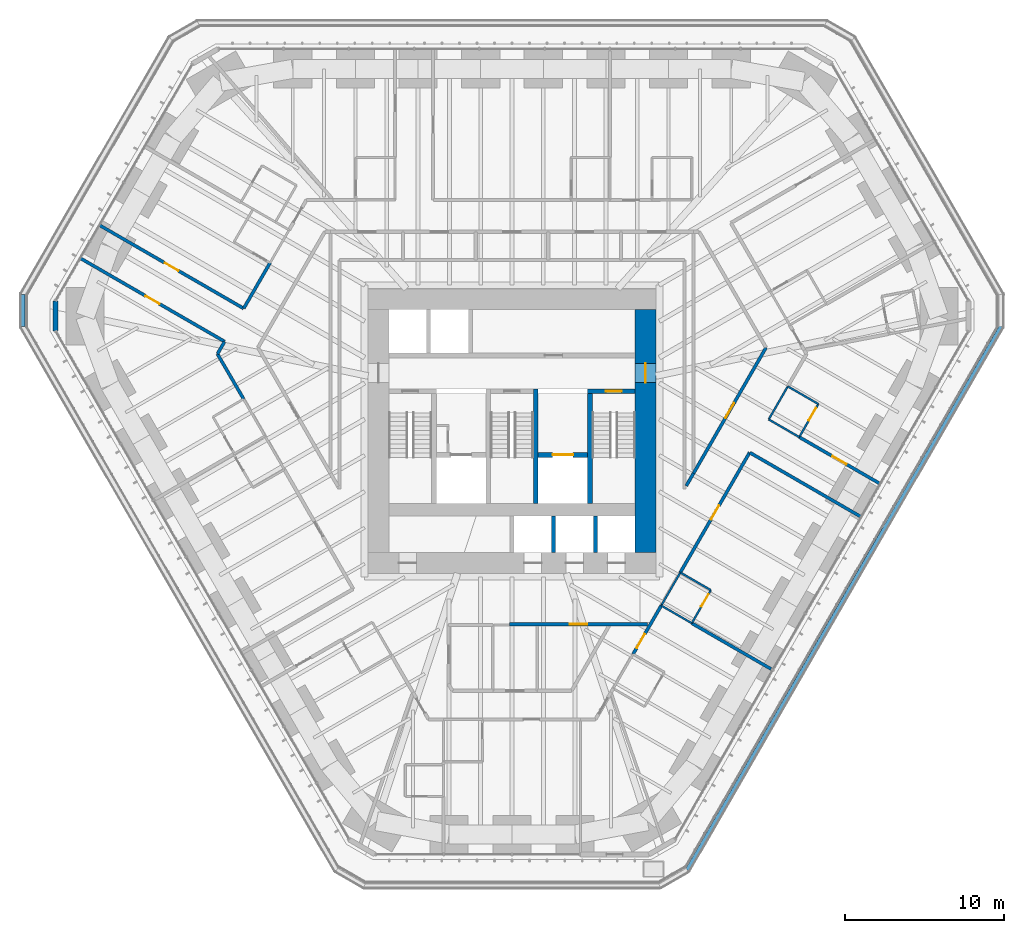
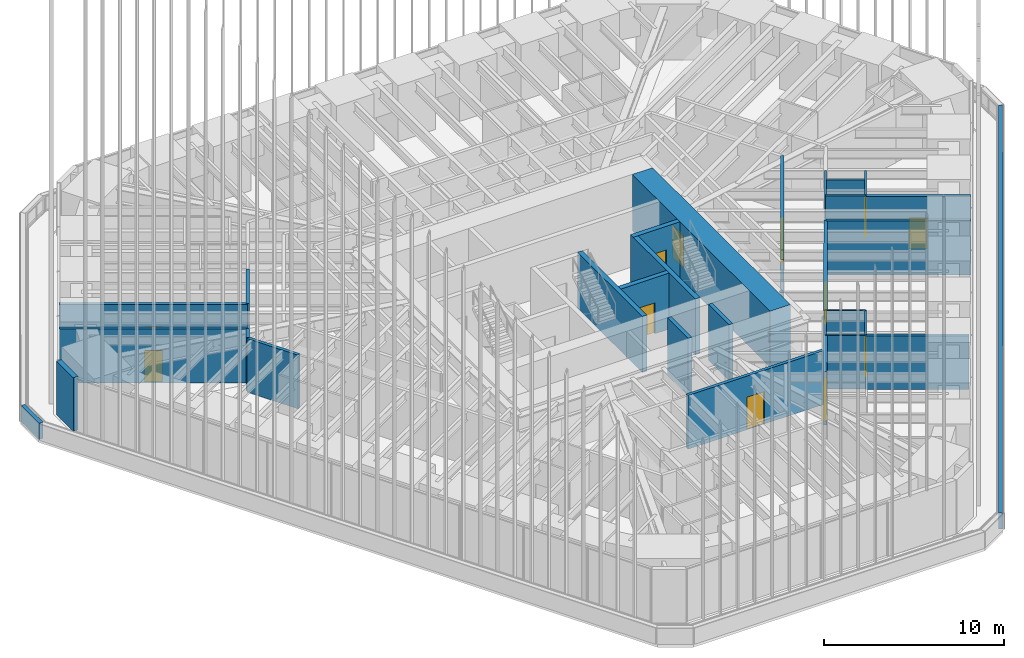
# One storey, part 232 of 238: 31 walls, 12 doors, 12 openings.
"""IFC4 building model written with IfcOpenShell, lengths in metres."""

from ifc_helpers import new_model, si_unit, direction, frame, frame_2d, origin, place, context, subcontext, project, spatial, rectangle, extrude, material, layer, layer_set, type_object, element, fill, save


model = new_model("IFC4")

# Units and contexts
model_context = context("Model", 3, precision=1e-05, world=origin(), true_north=direction((0.0, 1.0)))
body_context = subcontext(model_context, "Body", "Model", "MODEL_VIEW")
ifc_project = project(units=[si_unit("LENGTHUNIT", "METRE"), si_unit("AREAUNIT", "SQUARE_METRE"), si_unit("VOLUMEUNIT", "CUBIC_METRE"), si_unit("PLANEANGLEUNIT", "RADIAN"), si_unit("MASSUNIT", "GRAM", prefix="KILO")], contexts=[model_context])

# Site, building, storey
site_placement = place(None, origin())
site = spatial("IfcSite", under=ifc_project, at=site_placement, CompositionType="ELEMENT")
building_placement = place(site_placement, origin())
building = spatial("IfcBuilding", under=site, at=building_placement, Name="Sandreach Pilgrim Tower", CompositionType="ELEMENT")
storey_placement = place(building_placement, frame((0.0, 0.0, 96.800048828125)))
storey = spatial("IfcBuildingStorey", under=building, at=storey_placement, Name="L23", CompositionType="ELEMENT", Elevation=96.800048828125)

# Walls
ifc_material_1 = material(Name="Moisture-resistant gypsum board on steel studs", Category="steel")
ifc_layer_1 = layer(ifc_material_1, 0.1201171875)
ifc_layer_set_1 = layer_set([ifc_layer_1], Name="Bathroom partition 120")
wall_type_1 = type_object("IfcWallType", Name="Bathroom partition 120", PredefinedType="PARTITIONING", material=ifc_layer_set_1)
wall_1_placement = place(storey_placement, frame((9.389892578125, -12.530029296875, 0.0), z_axis=(0.0, 0.0, 1.0), x_axis=(0.499769390944, 0.866158505053, 0.0)))
element("IfcWall", 1, at=wall_1_placement, inside=storey, type_object=wall_type_1, Name="Bathroom partition L23-102", PredefinedType="PARTITIONING", context=body_context, shape_type="SweptSolid", body=[
    extrude(rectangle(XDim=2.401611328125, YDim=0.1201171875, at=frame_2d((1.20068359375, 0.0))), origin(), (0.0, 0.0, 1.0), 3.639892578125),
])
wall_2_placement = place(storey_placement, frame((9.389892578125, -12.530029296875, 0.0), z_axis=(0.0, 0.0, 1.0), x_axis=(0.865732595383, -0.500506816428, 0.0)))
element("IfcWall", 2, at=wall_2_placement, inside=storey, type_object=wall_type_1, Name="Bathroom partition L23-103", PredefinedType="PARTITIONING", context=body_context, shape_type="SweptSolid", body=[
    extrude(rectangle(XDim=2.218017578125, YDim=0.1201171875, at=frame_2d((1.10888671875, 0.0))), origin(), (0.0, 0.0, 1.0), 3.639892578125),
])

# Wall, opening, door
wall_3_placement = place(storey_placement, frame((11.31005859375, -13.639892578125, 0.0), z_axis=(0.0, 0.0, 1.0), x_axis=(0.499737123639, 0.866177122335, 0.0)))
wall_3 = element("IfcWall", 3, at=wall_3_placement, inside=storey, type_object=wall_type_1, Name="Bathroom partition L23-110", PredefinedType="PARTITIONING", context=body_context, shape_type="SweptSolid", body=[
    extrude(rectangle(XDim=2.401123046875, YDim=0.1201171875, at=frame_2d((1.20068359375, 0.0))), origin(), (0.0, 0.0, 1.0), 3.639892578125),
])
opening_1_placement = place(wall_3_placement, frame((1.201416015625, 0.0, 0.0)))
opening_1 = element("IfcOpeningElement", 4, at=opening_1_placement, cuts=wall_3, Name="Opening D09-07B", PredefinedType="OPENING", context=body_context, shape_type="SweptSolid", body=[
    extrude(rectangle(XDim=0.89990234375, YDim=2.030029296875, at=frame_2d((0.449951171875, 1.01513671875))), frame((0.0, 0.06005859375, 0.0), z_axis=(0.0, -1.0, 0.0), x_axis=(1.0, 0.0, 0.0)), (0.0, 0.0, 1.0), 0.1201171875),
])
ifc_material_2 = material(Name="Timber door, steel frame", Category="steel")
door_type_1 = type_object("IfcDoorType", Name="Bathroom door", OperationType="SINGLE_SWING_LEFT", PredefinedType="DOOR", material=ifc_material_2)
door_1_placement = place(opening_1_placement, origin())
door_1 = element("IfcDoor", 5, at=door_1_placement, inside=storey, type_object=door_type_1, Name="Door 2307B", OperationType="SINGLE_SWING_RIGHT", OverallHeight=2.030029296875, OverallWidth=0.89990234375, PredefinedType="DOOR", context=body_context, shape_type="SweptSolid", body=[
    extrude(rectangle(XDim=0.89990234375, YDim=2.030029296875, at=frame_2d((0.449951171875, 1.01513671875))), frame((0.0, 0.02490234375, 0.0), z_axis=(0.0, -1.0, 0.0), x_axis=(1.0, 0.0, 0.0)), (0.0, 0.0, 1.0), 0.050048828125),
])
fill(opening_1, door_1)

# Walls
wall_4_placement = place(storey_placement, frame((12.510009765625, -11.56005859375, 0.0), z_axis=(0.0, 0.0, 1.0), x_axis=(-0.865705017107, 0.500554515868, 0.0)))
element("IfcWall", 6, at=wall_4_placement, inside=storey, type_object=wall_type_1, Name="Bathroom partition L23-119", PredefinedType="PARTITIONING", context=body_context, shape_type="SweptSolid", body=[
    extrude(rectangle(XDim=2.2177734375, YDim=0.1201171875, at=frame_2d((1.10888671875, 0.0))), origin(), (0.0, 0.0, 1.0), 3.639892578125),
])
wall_5_placement = place(storey_placement, frame((16.14990234375, -0.820068359375, 0.0), z_axis=(0.0, 0.0, 1.0), x_axis=(0.499769390944, 0.866158505053, 0.0)))
element("IfcWall", 7, at=wall_5_placement, inside=storey, type_object=wall_type_1, Name="Bathroom partition L23-124", PredefinedType="PARTITIONING", context=body_context, shape_type="SweptSolid", body=[
    extrude(rectangle(XDim=2.401611328125, YDim=0.1201171875, at=frame_2d((1.20068359375, 0.0))), origin(), (0.0, 0.0, 1.0), 3.639892578125),
])
wall_6_placement = place(storey_placement, frame((16.14990234375, -0.820068359375, 0.0), z_axis=(0.0, 0.0, 1.0), x_axis=(0.865780289733, -0.50042430987, 0.0)))
element("IfcWall", 8, at=wall_6_placement, inside=storey, type_object=wall_type_1, Name="Bathroom partition L23-125", PredefinedType="PARTITIONING", context=body_context, shape_type="SweptSolid", body=[
    extrude(rectangle(XDim=2.2177734375, YDim=0.1201171875, at=frame_2d((1.10888671875, 0.0))), origin(), (0.0, 0.0, 1.0), 3.639892578125),
])

# Wall, opening, door
wall_7_placement = place(storey_placement, frame((18.070068359375, -1.929931640625, 0.0), z_axis=(0.0, 0.0, 1.0), x_axis=(0.499737123639, 0.866177122335, 0.0)))
wall_7 = element("IfcWall", 9, at=wall_7_placement, inside=storey, type_object=wall_type_1, Name="Bathroom partition L23-130", PredefinedType="PARTITIONING", context=body_context, shape_type="SweptSolid", body=[
    extrude(rectangle(XDim=2.401123046875, YDim=0.1201171875, at=frame_2d((1.20068359375, 0.0))), origin(), (0.0, 0.0, 1.0), 3.639892578125),
])
opening_2_placement = place(wall_7_placement, frame((1.201416015625, 0.0, 0.0)))
opening_2 = element("IfcOpeningElement", 10, at=opening_2_placement, cuts=wall_7, Name="Opening D09-06B", PredefinedType="OPENING", context=body_context, shape_type="SweptSolid", body=[
    extrude(rectangle(XDim=0.89990234375, YDim=2.030029296875, at=frame_2d((0.449951171875, 1.01513671875))), frame((0.0, 0.06005859375, 0.0), z_axis=(0.0, -1.0, 0.0), x_axis=(1.0, 0.0, 0.0)), (0.0, 0.0, 1.0), 0.1201171875),
])
door_2_placement = place(opening_2_placement, origin())
door_2 = element("IfcDoor", 11, at=door_2_placement, inside=storey, type_object=door_type_1, Name="Door 2306B", OperationType="SINGLE_SWING_RIGHT", OverallHeight=2.030029296875, OverallWidth=0.89990234375, PredefinedType="DOOR", context=body_context, shape_type="SweptSolid", body=[
    extrude(rectangle(XDim=0.89990234375, YDim=2.030029296875, at=frame_2d((0.449951171875, 1.01513671875))), frame((0.0, 0.02490234375, 0.0), z_axis=(0.0, -1.0, 0.0), x_axis=(1.0, 0.0, 0.0)), (0.0, 0.0, 1.0), 0.050048828125),
])
fill(opening_2, door_2)

# Walls
wall_8_placement = place(storey_placement, frame((19.27001953125, 0.14990234375, 0.0), z_axis=(0.0, 0.0, 1.0), x_axis=(-0.865732595383, 0.500506816428, 0.0)))
element("IfcWall", 12, at=wall_8_placement, inside=storey, type_object=wall_type_1, Name="Bathroom partition L23-135", PredefinedType="PARTITIONING", context=body_context, shape_type="SweptSolid", body=[
    extrude(rectangle(XDim=2.218017578125, YDim=0.1201171875, at=frame_2d((1.10888671875, 0.0))), origin(), (0.0, 0.0, 1.0), 3.0380859375),
])
ifc_material_3 = material(Name="Concrete 10000 psi", Category="concrete")
ifc_layer_2 = layer(ifc_material_3, 0.300048828125)
ifc_layer_set_2 = layer_set([ifc_layer_2], Name="Core inner wall 300")
wall_type_2 = type_object("IfcWallType", Name="Core inner wall 300", PredefinedType="SHEAR", material=ifc_layer_set_2)
for number, where, z_axis, x_axis, name in (
    (13, (1.5, -6.10009765625, 0.0), (0.0, 0.0, 1.0), (0.0, 1.0, 0.0), "Core wall I2 L23"),
    (14, (4.89990234375, -6.10009765625, 0.0), (0.0, 0.0, 1.0), (0.0, 1.0, 0.0), "Core wall I3 L23"),
):
    element("IfcWall", number, at=place(storey_placement, frame(where, z_axis=z_axis, x_axis=x_axis)), inside=storey, type_object=wall_type_2, Name=name, PredefinedType="SHEAR", context=body_context, shape_type="SweptSolid", body=[
        extrude(rectangle(XDim=7.2001953125, YDim=0.300048828125, at=frame_2d((3.60009765625, 0.0))), origin(), (0.0, 0.0, 1.0), 3.800048828125),
    ])

# Wall, opening, door
wall_9_placement = place(storey_placement, frame((4.75, 0.949951171875, 0.0), z_axis=(0.0, 0.0, 1.0), x_axis=(1.0, 0.0, 0.0)))
wall_9 = element("IfcWall", 15, at=wall_9_placement, inside=storey, type_object=wall_type_2, Name="Core wall SN2 L23", PredefinedType="SHEAR", context=body_context, shape_type="SweptSolid", body=[
    extrude(rectangle(XDim=3.0, YDim=0.300048828125, at=frame_2d((1.5, 0.0))), origin(), (0.0, 0.0, 1.0), 3.800048828125),
])
opening_3_placement = place(wall_9_placement, frame((1.14990234375, 0.0, 0.0)))
opening_3 = element("IfcOpeningElement", 16, at=opening_3_placement, cuts=wall_9, Name="Opening D10S-ST2", PredefinedType="OPENING", context=body_context, shape_type="SweptSolid", body=[
    extrude(rectangle(XDim=1.0, YDim=2.199951171875, at=frame_2d((0.5, 1.10009765625))), frame((0.0, 0.14990234375, 0.0), z_axis=(0.0, -1.0, 0.0), x_axis=(1.0, 0.0, 0.0)), (0.0, 0.0, 1.0), 0.300048828125),
])
ifc_material_4 = material(Name="Steel door and frame", Category="steel")
door_type_2 = type_object("IfcDoorType", Name="Stair door", OperationType="SINGLE_SWING_LEFT", PredefinedType="DOOR", material=ifc_material_4)
door_3_placement = place(opening_3_placement, origin())
door_3 = element("IfcDoor", 17, at=door_3_placement, inside=storey, type_object=door_type_2, Name="Stair door ST2 L23", OperationType="SINGLE_SWING_RIGHT", OverallHeight=2.199951171875, OverallWidth=1.0, PredefinedType="DOOR", context=body_context, shape_type="SweptSolid", body=[
    extrude(rectangle(XDim=1.0, YDim=2.199951171875, at=frame_2d((0.5, 1.10009765625))), frame((0.0, 0.02490234375, 0.0), z_axis=(0.0, -1.0, 0.0), x_axis=(1.0, 0.0, 0.0)), (0.0, 0.0, 1.0), 0.050048828125),
])
fill(opening_3, door_3)

wall_10_placement = place(storey_placement, frame((1.64990234375, -3.050048828125, 0.0), z_axis=(0.0, 0.0, 1.0), x_axis=(1.0, 0.0, 0.0)))
wall_10 = element("IfcWall", 18, at=wall_10_placement, inside=storey, type_object=wall_type_2, Name="Core wall FL2 L23", PredefinedType="SHEAR", context=body_context, shape_type="SweptSolid", body=[
    extrude(rectangle(XDim=3.10009765625, YDim=0.300048828125, at=frame_2d((1.550048828125, 0.0))), origin(), (0.0, 0.0, 1.0), 3.800048828125),
])
opening_4_placement = place(wall_10_placement, frame((0.89990234375, 0.0, 0.0)))
opening_4 = element("IfcOpeningElement", 19, at=opening_4_placement, cuts=wall_10, Name="Opening LD13", PredefinedType="OPENING", context=body_context, shape_type="SweptSolid", body=[
    extrude(rectangle(XDim=1.300048828125, YDim=2.10009765625, at=frame_2d((0.64990234375, 1.050048828125))), frame((0.0, 0.14990234375, 0.0), z_axis=(0.0, -1.0, 0.0), x_axis=(1.0, 0.0, 0.0)), (0.0, 0.0, 1.0), 0.300048828125),
])
ifc_material_5 = material(Name="Steel door and frame", Category="steel")
door_type_3 = type_object("IfcDoorType", Name="Fire service lift landing door", OperationType="DOUBLE_DOOR_SLIDING", PredefinedType="DOOR", material=ifc_material_5)
door_4_placement = place(opening_4_placement, origin())
door_4 = element("IfcDoor", 20, at=door_4_placement, inside=storey, type_object=door_type_3, Name="Lift landing door FS2 L23", OperationType="DOUBLE_DOOR_SLIDING", OverallHeight=2.10009765625, OverallWidth=1.300048828125, PredefinedType="DOOR", context=body_context, shape_type="SweptSolid", body=[
    extrude(rectangle(XDim=1.300048828125, YDim=2.10009765625, at=frame_2d((0.64990234375, 1.050048828125))), frame((0.0, 0.02490234375, 0.0), z_axis=(0.0, -1.0, 0.0), x_axis=(1.0, 0.0, 0.0)), (0.0, 0.0, 1.0), 0.050048828125),
])
fill(opening_4, door_4)

ifc_material_6 = material(Name="Concrete 10000 psi", Category="concrete")
ifc_layer_3 = layer(ifc_material_6, 1.300048828125)
ifc_layer_set_3 = layer_set([ifc_layer_3], Name="Core wall 1300")
wall_type_3 = type_object("IfcWallType", Name="Core wall 1300", PredefinedType="SHEAR", material=ifc_layer_set_3)
wall_11_placement = place(storey_placement, frame((8.39990234375, -9.199951171875, 0.0), z_axis=(0.0, 0.0, 1.0), x_axis=(0.0, 1.0, 0.0)))
wall_11 = element("IfcWall", 21, at=wall_11_placement, inside=storey, type_object=wall_type_3, Name="Core wall E L23", PredefinedType="SHEAR", context=body_context, shape_type="SweptSolid", body=[
    extrude(rectangle(XDim=15.300048828125, YDim=1.300048828125, at=frame_2d((7.64990234375, 0.0))), origin(), (0.0, 0.0, 1.0), 3.800048828125),
])
opening_5_placement = place(wall_11_placement, frame((10.699951171875, 0.0, 0.0)))
opening_5 = element("IfcOpeningElement", 22, at=opening_5_placement, cuts=wall_11, Name="Opening D12F-E", PredefinedType="OPENING", context=body_context, shape_type="SweptSolid", body=[
    extrude(rectangle(XDim=1.199951171875, YDim=2.199951171875, at=frame_2d((0.60009765625, 1.10009765625))), frame((0.0, 0.64990234375, 0.0), z_axis=(0.0, -1.0, 0.0), x_axis=(1.0, 0.0, 0.0)), (0.0, 0.0, 1.0), 1.300048828125),
])
ifc_material_7 = material(Name="Steel door and frame", Category="steel")
door_type_4 = type_object("IfcDoorType", Name="Fire lobby door", OperationType="SINGLE_SWING_LEFT", PredefinedType="DOOR", material=ifc_material_7)
door_5_placement = place(opening_5_placement, origin())
door_5 = element("IfcDoor", 23, at=door_5_placement, inside=storey, type_object=door_type_4, Name="Fire service lobby door E L23", OperationType="SINGLE_SWING_RIGHT", OverallHeight=2.199951171875, OverallWidth=1.199951171875, PredefinedType="DOOR", context=body_context, shape_type="SweptSolid", body=[
    extrude(rectangle(XDim=1.199951171875, YDim=2.199951171875, at=frame_2d((0.60009765625, 1.10009765625))), frame((0.0, 0.02490234375, 0.0), z_axis=(0.0, -1.0, 0.0), x_axis=(1.0, 0.0, 0.0)), (0.0, 0.0, 1.0), 0.050048828125),
])
fill(opening_5, door_5)

ifc_material_8 = material(Name="Gypsum board on steel studs, two layers each side", Category="steel")
ifc_layer_4 = layer(ifc_material_8, 0.199951171875)
ifc_layer_set_4 = layer_set([ifc_layer_4], Name="Corridor wall 200")
wall_type_4 = type_object("IfcWallType", Name="Corridor wall 200", PredefinedType="PARTITIONING", material=ifc_layer_set_4)
wall_12_placement = place(storey_placement, frame((-27.14404296875, 9.31494140625, 0.0), z_axis=(0.0, 0.0, 1.0), x_axis=(0.865951726818, -0.500127590541, 0.0)))
wall_12 = element("IfcWall", 24, at=wall_12_placement, inside=storey, type_object=wall_type_4, Name="Corridor wall L23-001", PredefinedType="PARTITIONING", context=body_context, shape_type="SweptSolid", body=[
    extrude(rectangle(XDim=10.467041015625, YDim=0.199951171875, at=frame_2d((5.2333984375, 0.0))), origin(), (0.0, 0.0, 1.0), 3.639892578125),
])
opening_6_placement = place(wall_12_placement, frame((4.733642578125, 0.0, 0.0)))
opening_6 = element("IfcOpeningElement", 25, at=opening_6_placement, cuts=wall_12, Name="Opening D10-14", PredefinedType="OPENING", context=body_context, shape_type="SweptSolid", body=[
    extrude(rectangle(XDim=1.0, YDim=2.1298828125, at=frame_2d((0.5, 1.06494140625))), frame((0.0, 0.10009765625, 0.0), z_axis=(0.0, -1.0, 0.0), x_axis=(1.0, 0.0, 0.0)), (0.0, 0.0, 1.0), 0.199951171875),
])
ifc_material_9 = material(Name="Steel door and frame", Category="steel")
door_type_5 = type_object("IfcDoorType", Name="Guest room entry door", OperationType="SINGLE_SWING_LEFT", PredefinedType="DOOR", material=ifc_material_9)
door_6_placement = place(opening_6_placement, origin())
door_6 = element("IfcDoor", 26, at=door_6_placement, inside=storey, type_object=door_type_5, Name="Door 2314", OperationType="SINGLE_SWING_LEFT", OverallHeight=2.1298828125, OverallWidth=1.0, PredefinedType="DOOR", context=body_context, shape_type="SweptSolid", body=[
    extrude(rectangle(XDim=1.0, YDim=2.1298828125, at=frame_2d((0.5, 1.06494140625))), frame((0.0, 0.02490234375, 0.0), z_axis=(0.0, -1.0, 0.0), x_axis=(1.0, 0.0, 0.0)), (0.0, 0.0, 1.0), 0.050048828125),
])
fill(opening_6, door_6)

# Walls
wall_13_placement = place(storey_placement, frame((-18.530029296875, 3.300048828125, 0.0), z_axis=(0.0, 0.0, 1.0), x_axis=(0.502321995867, -0.864680641895, 0.0)))
element("IfcWall", 27, at=wall_13_placement, inside=storey, type_object=wall_type_4, Name="Corridor wall L23-004", PredefinedType="PARTITIONING", context=body_context, shape_type="SweptSolid", body=[
    extrude(rectangle(XDim=3.28466796875, YDim=0.199951171875, at=frame_2d((1.642333984375, 0.0))), origin(), (0.0, 0.0, 1.0), 3.639892578125),
])
wall_14_placement = place(storey_placement, frame((-18.08740234375, 4.06689453125, 0.0), z_axis=(0.0, 0.0, 1.0), x_axis=(-0.499905448813, -0.866079986056, 0.0)))
element("IfcWall", 28, at=wall_14_placement, inside=storey, type_object=wall_type_4, Name="Corridor wall L23-005", PredefinedType="PARTITIONING", context=body_context, shape_type="SweptSolid", body=[
    extrude(rectangle(XDim=0.885498046875, YDim=0.199951171875, at=frame_2d((0.44287109375, 0.0))), origin(), (0.0, 0.0, 1.0), 3.639892578125),
])

# Wall, opening, door
wall_15_placement = place(storey_placement, frame((-16.8798828125, 6.159912109375, 0.0), z_axis=(0.0, 0.0, 1.0), x_axis=(-0.86594745947, 0.500134979218, 0.0)))
wall_15 = element("IfcWall", 29, at=wall_15_placement, inside=storey, type_object=wall_type_4, Name="Corridor wall L23-012", PredefinedType="PARTITIONING", context=body_context, shape_type="SweptSolid", body=[
    extrude(rectangle(XDim=10.46728515625, YDim=0.199951171875, at=frame_2d((5.233642578125, 0.0))), origin(), (0.0, 0.0, 1.0), 3.639892578125),
])
opening_7_placement = place(wall_15_placement, frame((4.733642578125, 0.0, 0.0)))
opening_7 = element("IfcOpeningElement", 30, at=opening_7_placement, cuts=wall_15, Name="Opening D10-15", PredefinedType="OPENING", context=body_context, shape_type="SweptSolid", body=[
    extrude(rectangle(XDim=1.0, YDim=2.1298828125, at=frame_2d((0.5, 1.06494140625))), frame((0.0, 0.10009765625, 0.0), z_axis=(0.0, -1.0, 0.0), x_axis=(1.0, 0.0, 0.0)), (0.0, 0.0, 1.0), 0.199951171875),
])
door_7_placement = place(opening_7_placement, origin())
door_7 = element("IfcDoor", 31, at=door_7_placement, inside=storey, type_object=door_type_5, Name="Door 2315", OperationType="SINGLE_SWING_LEFT", OverallHeight=2.1298828125, OverallWidth=1.0, PredefinedType="DOOR", context=body_context, shape_type="SweptSolid", body=[
    extrude(rectangle(XDim=1.0, YDim=2.1298828125, at=frame_2d((0.5, 1.06494140625))), frame((0.0, 0.02490234375, 0.0), z_axis=(0.0, -1.0, 0.0), x_axis=(1.0, 0.0, 0.0)), (0.0, 0.0, 1.0), 0.050048828125),
])
fill(opening_7, door_7)

# Wall
wall_16_placement = place(storey_placement, frame((-16.875, 6.168701171875, 0.0), z_axis=(0.0, 0.0, 1.0), x_axis=(0.500689767595, 0.865626799854, 0.0)))
element("IfcWall", 32, at=wall_16_placement, inside=storey, type_object=wall_type_4, Name="Corridor wall L23-013", PredefinedType="PARTITIONING", context=body_context, shape_type="SweptSolid", body=[
    extrude(rectangle(XDim=3.305419921875, YDim=0.199951171875, at=frame_2d((1.65283203125, 0.0))), origin(), (0.0, 0.0, 1.0), 3.639892578125),
])

# Wall, opening, door
wall_17_placement = place(storey_placement, frame((7.6201171875, -15.580078125, 0.0), z_axis=(0.0, 0.0, 1.0), x_axis=(0.501876608556, 0.864939228954, 0.0)))
wall_17 = element("IfcWall", 33, at=wall_17_placement, inside=storey, type_object=wall_type_4, Name="Corridor wall L23-097", PredefinedType="PARTITIONING", context=body_context, shape_type="SweptSolid", body=[
    extrude(rectangle(XDim=3.5263671875, YDim=0.199951171875, at=frame_2d((1.76318359375, 0.0))), origin(), (0.0, 0.0, 1.0), 3.639892578125),
])
opening_8_placement = place(wall_17_placement, frame((0.449951171875, 0.0, 0.0)))
opening_8 = element("IfcOpeningElement", 34, at=opening_8_placement, cuts=wall_17, Name="Opening D10-08", PredefinedType="OPENING", context=body_context, shape_type="SweptSolid", body=[
    extrude(rectangle(XDim=1.0, YDim=2.1298828125, at=frame_2d((0.5, 1.06494140625))), frame((0.0, 0.10009765625, 0.0), z_axis=(0.0, -1.0, 0.0), x_axis=(1.0, 0.0, 0.0)), (0.0, 0.0, 1.0), 0.199951171875),
])
door_8_placement = place(opening_8_placement, origin())
door_8 = element("IfcDoor", 35, at=door_8_placement, inside=storey, type_object=door_type_5, Name="Door 2308", OperationType="SINGLE_SWING_LEFT", OverallHeight=2.1298828125, OverallWidth=1.0, PredefinedType="DOOR", context=body_context, shape_type="SweptSolid", body=[
    extrude(rectangle(XDim=1.0, YDim=2.1298828125, at=frame_2d((0.5, 1.06494140625))), frame((0.0, 0.02490234375, 0.0), z_axis=(0.0, -1.0, 0.0), x_axis=(1.0, 0.0, 0.0)), (0.0, 0.0, 1.0), 0.050048828125),
])
fill(opening_8, door_8)

wall_18_placement = place(storey_placement, frame((8.53515625, -13.699951171875, 0.0), z_axis=(0.0, 0.0, 1.0), x_axis=(-1.0, 0.0, 0.0)))
wall_18 = element("IfcWall", 36, at=wall_18_placement, inside=storey, type_object=wall_type_4, Name="Corridor wall L23-099", PredefinedType="PARTITIONING", context=body_context, shape_type="SweptSolid", body=[
    extrude(rectangle(XDim=8.705078125, YDim=0.199951171875, at=frame_2d((4.3525390625, 0.0))), origin(), (0.0, 0.0, 1.0), 3.639892578125),
])
opening_9_placement = place(wall_18_placement, frame((3.802490234375, 0.0, 0.0)))
opening_9 = element("IfcOpeningElement", 37, at=opening_9_placement, cuts=wall_18, Name="Opening D11H-S4", PredefinedType="OPENING", context=body_context, shape_type="SweptSolid", body=[
    extrude(rectangle(XDim=1.10009765625, YDim=2.199951171875, at=frame_2d((0.550048828125, 1.10009765625))), frame((0.0, 0.10009765625, 0.0), z_axis=(0.0, -1.0, 0.0), x_axis=(1.0, 0.0, 0.0)), (0.0, 0.0, 1.0), 0.199951171875),
])
ifc_material_10 = material(Name="Steel door and frame", Category="steel")
door_type_6 = type_object("IfcDoorType", Name="Back of house door", OperationType="SINGLE_SWING_LEFT", PredefinedType="DOOR", material=ifc_material_10)
door_9_placement = place(opening_9_placement, origin())
door_9 = element("IfcDoor", 38, at=door_9_placement, inside=storey, type_object=door_type_6, Name="Door 23S4", OperationType="SINGLE_SWING_LEFT", OverallHeight=2.199951171875, OverallWidth=1.10009765625, PredefinedType="DOOR", context=body_context, shape_type="SweptSolid", body=[
    extrude(rectangle(XDim=1.10009765625, YDim=2.199951171875, at=frame_2d((0.550048828125, 1.10009765625))), frame((0.0, 0.02490234375, 0.0), z_axis=(0.0, -1.0, 0.0), x_axis=(1.0, 0.0, 0.0)), (0.0, 0.0, 1.0), 0.050048828125),
])
fill(opening_9, door_9)

wall_19_placement = place(storey_placement, frame((10.590087890625, -10.449951171875, 0.0), z_axis=(0.0, 0.0, 1.0), x_axis=(0.500072306674, 0.865983653482, 0.0)))
wall_19 = element("IfcWall", 39, at=wall_19_placement, inside=storey, type_object=wall_type_4, Name="Corridor wall L23-106", PredefinedType="PARTITIONING", context=body_context, shape_type="SweptSolid", body=[
    extrude(rectangle(XDim=8.718505859375, YDim=0.199951171875, at=frame_2d((4.359375, 0.0))), origin(), (0.0, 0.0, 1.0), 3.639892578125),
])
opening_10_placement = place(wall_19_placement, frame((3.859375, 0.0, 0.0)))
opening_10 = element("IfcOpeningElement", 40, at=opening_10_placement, cuts=wall_19, Name="Opening D10-07", PredefinedType="OPENING", context=body_context, shape_type="SweptSolid", body=[
    extrude(rectangle(XDim=1.0, YDim=2.1298828125, at=frame_2d((0.5, 1.06494140625))), frame((0.0, 0.10009765625, 0.0), z_axis=(0.0, -1.0, 0.0), x_axis=(1.0, 0.0, 0.0)), (0.0, 0.0, 1.0), 0.199951171875),
])
door_10_placement = place(opening_10_placement, origin())
door_10 = element("IfcDoor", 41, at=door_10_placement, inside=storey, type_object=door_type_5, Name="Door 2307", OperationType="SINGLE_SWING_LEFT", OverallHeight=2.1298828125, OverallWidth=1.0, PredefinedType="DOOR", context=body_context, shape_type="SweptSolid", body=[
    extrude(rectangle(XDim=1.0, YDim=2.1298828125, at=frame_2d((0.5, 1.06494140625))), frame((0.0, 0.02490234375, 0.0), z_axis=(0.0, -1.0, 0.0), x_axis=(1.0, 0.0, 0.0)), (0.0, 0.0, 1.0), 0.050048828125),
])
fill(opening_10, door_10)

# Walls
wall_20_placement = place(storey_placement, frame((11.419921875, -4.2099609375, 0.0), z_axis=(0.0, 0.0, 1.0), x_axis=(-0.502657614045, -0.8644855829, 0.0)))
element("IfcWall", 42, at=wall_20_placement, inside=storey, type_object=wall_type_4, Name="Corridor wall L23-115", PredefinedType="PARTITIONING", context=body_context, shape_type="SweptSolid", body=[
    extrude(rectangle(XDim=0.91357421875, YDim=0.199951171875, at=frame_2d((0.456787109375, 0.0))), origin(), (0.0, 0.0, 1.0), 3.639892578125),
])
wall_21_placement = place(storey_placement, frame((14.962890625, -2.907470703125, 0.0), z_axis=(0.0, 0.0, 1.0), x_axis=(0.865876457216, -0.50025789433, 0.0)))
element("IfcWall", 43, at=wall_21_placement, inside=storey, type_object=wall_type_4, Name="Corridor wall L23-122", PredefinedType="PARTITIONING", context=body_context, shape_type="SweptSolid", body=[
    extrude(rectangle(XDim=8.051025390625, YDim=0.199951171875, at=frame_2d((4.025390625, 0.0))), origin(), (0.0, 0.0, 1.0), 3.639892578125),
])

# Wall, opening, door
wall_22_placement = place(storey_placement, frame((15.97998046875, 3.699951171875, 0.0), z_axis=(0.0, 0.0, 1.0), x_axis=(-0.499446957289, -0.866344467781, 0.0)))
wall_22 = element("IfcWall", 44, at=wall_22_placement, inside=storey, type_object=wall_type_4, Name="Corridor wall L23-123", PredefinedType="PARTITIONING", context=body_context, shape_type="SweptSolid", body=[
    extrude(rectangle(XDim=9.130126953125, YDim=0.199951171875, at=frame_2d((4.56494140625, 0.0))), origin(), (0.0, 0.0, 1.0), 3.639892578125),
])
opening_11_placement = place(wall_22_placement, frame((4.01513671875, 0.0, 0.0)))
opening_11 = element("IfcOpeningElement", 45, at=opening_11_placement, cuts=wall_22, Name="Opening D11H-M07", PredefinedType="OPENING", context=body_context, shape_type="SweptSolid", body=[
    extrude(rectangle(XDim=1.10009765625, YDim=2.199951171875, at=frame_2d((0.550048828125, 1.10009765625))), frame((0.0, 0.10009765625, 0.0), z_axis=(0.0, -1.0, 0.0), x_axis=(1.0, 0.0, 0.0)), (0.0, 0.0, 1.0), 0.199951171875),
])
door_11_placement = place(opening_11_placement, origin())
door_11 = element("IfcDoor", 46, at=door_11_placement, inside=storey, type_object=door_type_6, Name="Door 23M07", OperationType="SINGLE_SWING_LEFT", OverallHeight=2.199951171875, OverallWidth=1.10009765625, PredefinedType="DOOR", context=body_context, shape_type="SweptSolid", body=[
    extrude(rectangle(XDim=1.10009765625, YDim=2.199951171875, at=frame_2d((0.550048828125, 1.10009765625))), frame((0.0, 0.02490234375, 0.0), z_axis=(0.0, -1.0, 0.0), x_axis=(1.0, 0.0, 0.0)), (0.0, 0.0, 1.0), 0.050048828125),
])
fill(opening_11, door_11)

wall_23_placement = place(storey_placement, frame((18.070068359375, -1.929931640625, 0.0), z_axis=(0.0, 0.0, 1.0), x_axis=(0.865924141063, -0.500175351175, 0.0)))
wall_23 = element("IfcWall", 47, at=wall_23_placement, inside=storey, type_object=wall_type_4, Name="Corridor wall L23-131", PredefinedType="PARTITIONING", context=body_context, shape_type="SweptSolid", body=[
    extrude(rectangle(XDim=5.84814453125, YDim=0.199951171875, at=frame_2d((2.924072265625, 0.0))), origin(), (0.0, 0.0, 1.0), 3.639892578125),
])
opening_12_placement = place(wall_23_placement, frame((2.424072265625, 0.0, 0.0)))
opening_12 = element("IfcOpeningElement", 48, at=opening_12_placement, cuts=wall_23, Name="Opening D10-06", PredefinedType="OPENING", context=body_context, shape_type="SweptSolid", body=[
    extrude(rectangle(XDim=1.0, YDim=2.1298828125, at=frame_2d((0.5, 1.06494140625))), frame((0.0, 0.10009765625, 0.0), z_axis=(0.0, -1.0, 0.0), x_axis=(1.0, 0.0, 0.0)), (0.0, 0.0, 1.0), 0.199951171875),
])
door_12_placement = place(opening_12_placement, origin())
door_12 = element("IfcDoor", 49, at=door_12_placement, inside=storey, type_object=door_type_5, Name="Door 2306", OperationType="SINGLE_SWING_LEFT", OverallHeight=2.1298828125, OverallWidth=1.0, PredefinedType="DOOR", context=body_context, shape_type="SweptSolid", body=[
    extrude(rectangle(XDim=1.0, YDim=2.1298828125, at=frame_2d((0.5, 1.06494140625))), frame((0.0, 0.02490234375, 0.0), z_axis=(0.0, -1.0, 0.0), x_axis=(1.0, 0.0, 0.0)), (0.0, 0.0, 1.0), 0.050048828125),
])
fill(opening_12, door_12)

# Walls
ifc_material_11 = material(Name="Double steel stud acoustic wall, gypsum board", Category="steel")
ifc_layer_5 = layer(ifc_material_11, 0.199951171875)
ifc_layer_set_5 = layer_set([ifc_layer_5], Name="Party wall 200")
wall_type_5 = type_object("IfcWallType", Name="Party wall 200", PredefinedType="PARTITIONING", material=ifc_layer_set_5)
wall_24_placement = place(storey_placement, frame((11.31005859375, -13.639892578125, 0.0), z_axis=(0.0, 0.0, 1.0), x_axis=(0.865919350456, -0.50018364478, 0.0)))
element("IfcWall", 50, at=wall_24_placement, inside=storey, type_object=wall_type_5, Name="Party wall L23-111", PredefinedType="PARTITIONING", context=body_context, shape_type="SweptSolid", body=[
    extrude(rectangle(XDim=5.758056640625, YDim=0.199951171875, at=frame_2d((2.87890625, 0.0))), origin(), (0.0, 0.0, 1.0), 3.639892578125),
])
ifc_material_12 = material(Name="Concrete parapet with terracotta coping", Category="masonry")
ifc_layer_6 = layer(ifc_material_12, 0.25)
ifc_layer_set_6 = layer_set([ifc_layer_6], Name="Setback parapet")
wall_type_6 = type_object("IfcWallType", Name="Setback parapet", PredefinedType="PARAPET", material=ifc_layer_set_6)
wall_25_placement = place(storey_placement, frame((-30.7763671875, 7.02880859375, 0.0), z_axis=(0.0, 0.0, 1.0), x_axis=(0.000858368782, -0.999999631601, 0.0)))
element("IfcWall", 51, at=wall_25_placement, inside=storey, type_object=wall_type_6, Name="Setback parapet L23 3", PredefinedType="PARAPET", context=body_context, shape_type="SweptSolid", body=[
    extrude(rectangle(XDim=1.990966796875, YDim=0.25, at=frame_2d((0.99560546875, 0.0))), origin(), (0.0, 0.0, 1.0), 1.099853515625),
])
wall_26_placement = place(storey_placement, frame((11.0244140625, -29.170654296875, 0.0), z_axis=(0.0, 0.0, 1.0), x_axis=(0.499999235055, 0.866025845425, 0.0)))
element("IfcWall", 52, at=wall_26_placement, inside=storey, type_object=wall_type_6, Name="Setback parapet L23 8", PredefinedType="PARAPET", context=body_context, shape_type="SweptSolid", body=[
    extrude(rectangle(XDim=39.50048828125, YDim=0.25, at=frame_2d((19.750244140625, 0.0))), origin(), (0.0, 0.0, 1.0), 1.099853515625),
])
ifc_material_13 = material(Name="Gypsum shaft wall on steel studs, two layers of shaft liner board", Category="steel")
ifc_layer_7 = layer(ifc_material_13, 0.25)
ifc_layer_set_7 = layer_set([ifc_layer_7], Name="Shaft partition 250")
wall_type_7 = type_object("IfcWallType", Name="Shaft partition 250", PredefinedType="PARTITIONING", material=ifc_layer_set_7)
for number, where, z_axis, x_axis, name in (
    (53, (2.625, -9.199951171875, 0.0), (0.0, 0.0, 1.0), (0.0, 1.0, 0.0), "Shaft partition XS3 L23"),
    (54, (5.25, -9.199951171875, 0.0), (0.0, 0.0, 1.0), (0.0, 1.0, 0.0), "Shaft partition XS4 L23"),
):
    element("IfcWall", number, at=place(storey_placement, frame(where, z_axis=z_axis, x_axis=x_axis)), inside=storey, type_object=wall_type_7, Name=name, PredefinedType="PARTITIONING", context=body_context, shape_type="SweptSolid", body=[
        extrude(rectangle(XDim=2.300048828125, YDim=0.25, at=frame_2d((1.14990234375, 0.0))), origin(), (0.0, 0.0, 1.0), 3.800048828125),
    ])
ifc_material_14 = material(Name="Terracotta rainscreen on concrete", Category="masonry")
ifc_layer_8 = layer(ifc_material_14, 0.300048828125)
ifc_layer_set_8 = layer_set([ifc_layer_8], Name="Terracotta chamfer pier")
wall_type_8 = type_object("IfcWallType", Name="Terracotta chamfer pier", PredefinedType="SOLIDWALL", material=ifc_layer_set_8)
wall_27_placement = place(storey_placement, frame((-28.720947265625, 4.758544921875, 0.0), z_axis=(0.0, 0.0, 1.0), x_axis=(0.0, 1.0, 0.0)))
element("IfcWall", 55, at=wall_27_placement, inside=storey, type_object=wall_type_8, Name="Chamfer pier L23 SW", PredefinedType="SOLIDWALL", context=body_context, shape_type="SweptSolid", body=[
    extrude(rectangle(XDim=1.8798828125, YDim=0.300048828125, at=frame_2d((0.93994140625, 0.0))), origin(), (0.0, 0.0, 1.0), 3.639892578125),
])

save(model, "model.ifc")
